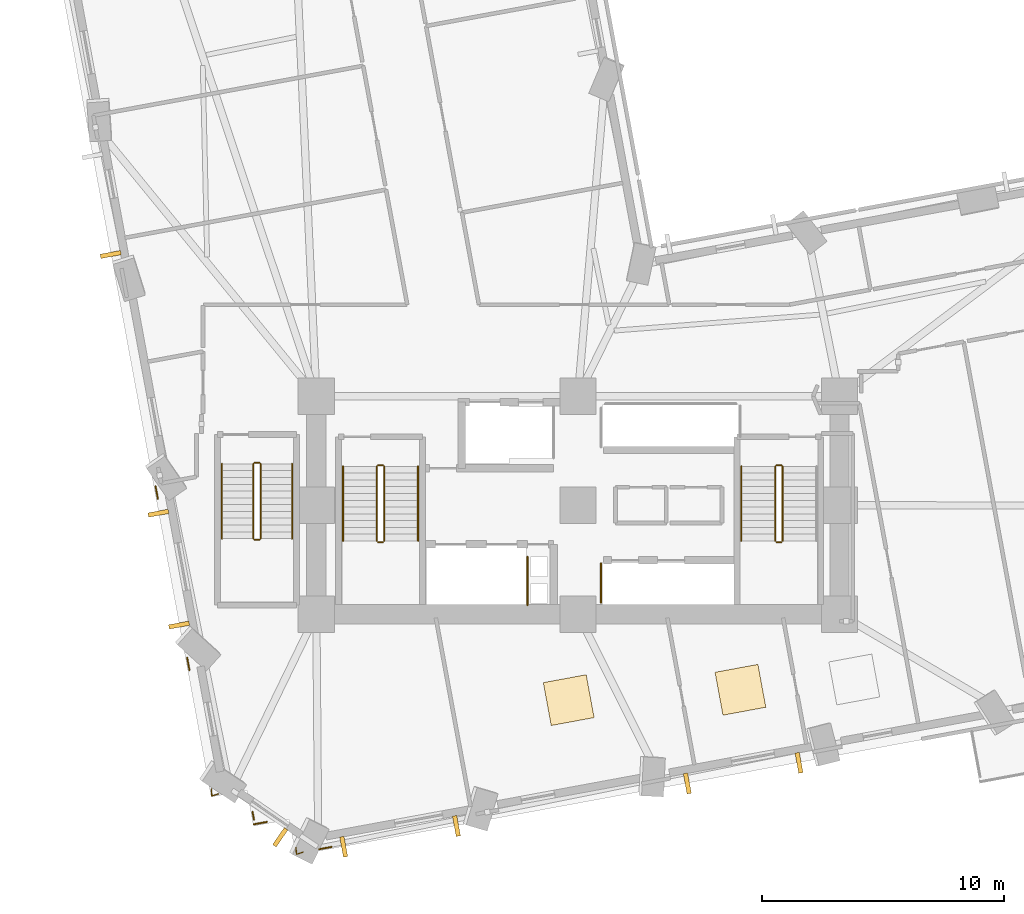
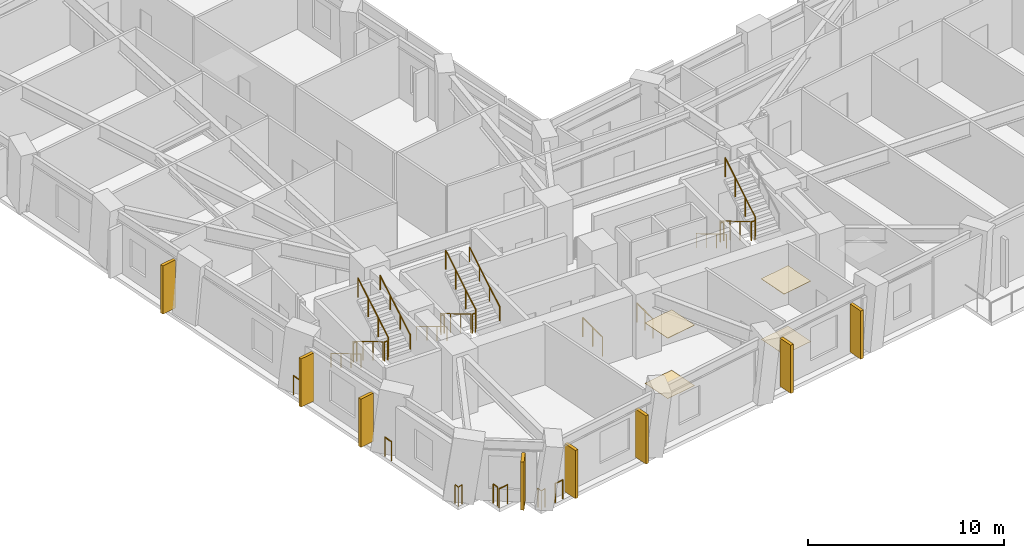
# One storey, part 12 of 16: 26 railings, 8 shading devices, 4 coverings.
"""IFC4 building model written with IfcOpenShell, lengths in metres."""

from ifc_helpers import new_model, si_unit, direction, frame, origin, origin_2d, place, context, subcontext, project, spatial, rectangle, circle, extrude, material, layer, layer_set, type_object, element, save


model = new_model("IFC4")

# Units and contexts
model_context = context("Model", 3, precision=1e-05, world=origin(), true_north=direction((0.0, 1.0)))
body_context = subcontext(model_context, "Body", "Model", "MODEL_VIEW")
ifc_project = project(units=[si_unit("LENGTHUNIT", "METRE"), si_unit("AREAUNIT", "SQUARE_METRE"), si_unit("VOLUMEUNIT", "CUBIC_METRE"), si_unit("PLANEANGLEUNIT", "RADIAN"), si_unit("MASSUNIT", "GRAM", prefix="KILO")], contexts=[model_context])

# Site, building, storey
site_placement = place(None, origin())
site = spatial("IfcSite", under=ifc_project, at=site_placement, CompositionType="ELEMENT")
building_placement = place(site_placement, origin())
building = spatial("IfcBuilding", under=site, at=building_placement, Name="Gaonmaruhae Medical Tower", CompositionType="ELEMENT")
storey_placement = place(building_placement, frame((0.0, 0.0, 67.0)))
storey = spatial("IfcBuildingStorey", under=building, at=storey_placement, Name="L15", CompositionType="ELEMENT", Elevation=67.0)

# Coverings
ifc_material_1 = material(Name="Acoustic mineral ceiling tile", Category="finish")
ifc_layer_1 = layer(ifc_material_1, 0.02490234375)
ifc_layer_set_1 = layer_set([ifc_layer_1], Name="Acoustic mineral ceiling tile")
covering_type_1 = type_object("IfcCoveringType", Name="CLG-01 Antimicrobial Acoustic Mineral Ceiling", PredefinedType="CEILING", material=ifc_layer_set_1)
for number, where, z_axis, x_axis, name in (
    (1, (24.420166015625, 4.249755859375, 3.755126953125), (0.0, 0.0, 1.0), (0.983413563645, 0.181377404435, 0.0), "L15 Clinical Room Acoustic Ceiling 2"),
    (2, (31.510498046875, 4.676025390625, 3.755126953125), (0.0, 0.0, 1.0), (0.983413563645, 0.181377404435, 0.0), "L15 Clinical Room Acoustic Ceiling 3"),
):
    element("IfcCovering", number, at=place(storey_placement, frame(where, z_axis=z_axis, x_axis=x_axis)), inside=storey, type_object=covering_type_1, Name=name, PredefinedType="CEILING", context=body_context, shape_type="SweptSolid", body=[
        extrude(rectangle(XDim=1.800048828125, YDim=1.800048828125, at=origin_2d()), origin(), (0.0, 0.0, 1.0), 0.02490234375),
    ])
ifc_material_2 = material(Name="Seamless clinical vinyl flooring", Category="finish")
ifc_layer_2 = layer(ifc_material_2, 0.014892578125)
ifc_layer_set_2 = layer_set([ifc_layer_2], Name="Seamless clinical vinyl flooring")
covering_type_2 = type_object("IfcCoveringType", Name="FLR-01 Seamless Clinical Antistatic Vinyl Flooring", PredefinedType="FLOORING", material=ifc_layer_set_2)
for number, where, z_axis, x_axis, name in (
    (3, (24.420166015625, 4.249755859375, 0.0), (0.0, 0.0, 1.0), (0.983413563645, 0.181377404435, 0.0), "L15 Clinical Room Vinyl Flooring 2"),
    (4, (31.510498046875, 4.676025390625, 0.0), (0.0, 0.0, 1.0), (0.983413563645, 0.181377404435, 0.0), "L15 Clinical Room Vinyl Flooring 3"),
):
    element("IfcCovering", number, at=place(storey_placement, frame(where, z_axis=z_axis, x_axis=x_axis)), inside=storey, type_object=covering_type_2, Name=name, PredefinedType="FLOORING", context=body_context, shape_type="SweptSolid", body=[
        extrude(rectangle(XDim=1.800048828125, YDim=1.800048828125, at=origin_2d()), origin(), (0.0, 0.0, 1.0), 0.014892578125),
    ])

# Railings
ifc_material_3 = material(Name="Stainless steel 316L and laminated safety glass", Category="steel")
ifc_layer_3 = layer(ifc_material_3, 0.080078125)
ifc_layer_set_3 = layer_set([ifc_layer_3], Name="Stainless steel 316L and laminated safety glass")
railing_type_1 = type_object("IfcRailingType", Name="GD-120 Outdoor Terrace Safety Glass & Steel Balustrade", PredefinedType="BALUSTRADE", material=ifc_layer_set_3)
railing_1_placement = place(storey_placement, frame((11.960693359375, -0.779052734375, 0.0)))
element("IfcRailing", 5, at=railing_1_placement, inside=storey, type_object=railing_type_1, Name="L15 Perimeter Slab Edge Safety Balustrade 01", PredefinedType="BALUSTRADE", context=body_context, shape_type="SweptSolid", body=[
    extrude(circle(Radius=0.02392578125, at=origin_2d()), frame((0.0, 0.0, 1.17578125), z_axis=(-0.983420471769, -0.181339945149, 0.0), x_axis=(0.181339945149, -0.983420471769, 0.0)), (0.0, 0.0, 1.0), 0.56005859375),
    extrude(circle(Radius=0.02099609375, at=origin_2d()), origin(), (0.0, 0.0, 1.0), 1.15185546875),
    extrude(circle(Radius=0.02099609375, at=origin_2d()), frame((-0.55078125, -0.1015625, 0.0)), (0.0, 0.0, 1.0), 1.15185546875),
])
railing_2_placement = place(storey_placement, frame((11.42578125, -0.69140625, 0.0)))
element("IfcRailing", 6, at=railing_2_placement, inside=storey, type_object=railing_type_1, Name="L15 Perimeter Slab Edge Safety Balustrade 02", PredefinedType="BALUSTRADE", context=body_context, shape_type="SweptSolid", body=[
    extrude(circle(Radius=0.02392578125, at=origin_2d()), frame((0.0, 0.0, 1.17578125), z_axis=(-0.181580830922, 0.983376022609, 0.0), x_axis=(-0.983376022609, -0.181580830922, 0.0)), (0.0, 0.0, 1.0), 0.32666015625),
    extrude(circle(Radius=0.02099609375, at=origin_2d()), origin(), (0.0, 0.0, 1.0), 1.15185546875),
    extrude(circle(Radius=0.02099609375, at=origin_2d()), frame((-0.059326171875, 0.3212890625, 0.0)), (0.0, 0.0, 1.0), 1.15185546875),
])
for number, where, name in (
    (7, (8.760498046875, 5.4892578125, 0.0), "L15 Perimeter Slab Edge Safety Balustrade 03"),
    (8, (7.455810546875, 12.563232421875, 0.0), "L15 Perimeter Slab Edge Safety Balustrade 04"),
):
    element("IfcRailing", number, at=place(storey_placement, frame(where)), inside=storey, type_object=railing_type_1, Name=name, PredefinedType="BALUSTRADE", context=body_context, shape_type="SweptSolid", body=[
        extrude(circle(Radius=0.02392578125, at=origin_2d()), frame((0.0, 0.0, 1.17578125), z_axis=(-0.181365727127, 0.983415717296, 0.0), x_axis=(-0.983415717296, -0.181365727127, 0.0)), (0.0, 0.0, 1.0), 0.51953125),
        extrude(circle(Radius=0.02099609375, at=origin_2d()), origin(), (0.0, 0.0, 1.0), 1.15185546875),
        extrude(circle(Radius=0.02099609375, at=origin_2d()), frame((-0.09423828125, 0.510986328125, 0.0)), (0.0, 0.0, 1.0), 1.15185546875),
    ])
railing_3_placement = place(storey_placement, frame((14.62548828125, -1.81298828125, 0.0)))
element("IfcRailing", 9, at=railing_3_placement, inside=storey, type_object=railing_type_1, Name="L15 Perimeter Slab Edge Safety Balustrade 12", PredefinedType="BALUSTRADE", context=body_context, shape_type="SweptSolid", body=[
    extrude(circle(Radius=0.02392578125, at=origin_2d()), frame((0.0, 0.0, 1.17578125), z_axis=(-0.98340676165, -0.181414280419, 0.0), x_axis=(0.181414280419, -0.98340676165, 0.0)), (0.0, 0.0, 1.0), 0.51806640625),
    extrude(circle(Radius=0.02099609375, at=origin_2d()), origin(), (0.0, 0.0, 1.0), 1.15185546875),
    extrude(circle(Radius=0.02099609375, at=origin_2d()), frame((-0.509521484375, -0.093994140625, 0.0)), (0.0, 0.0, 1.0), 1.15185546875),
])
for number, where, name in (
    (10, (9.957763671875, 0.376708984375, 0.0), "L15 Perimeter Corner Safety Balustrade 13"),
    (11, (13.4521484375, -2.029296875, 0.0), "L15 Perimeter Corner Safety Balustrade 15"),
):
    element("IfcRailing", number, at=place(storey_placement, frame(where)), inside=storey, type_object=railing_type_1, Name=name, PredefinedType="BALUSTRADE", context=body_context, shape_type="SweptSolid", body=[
        extrude(circle(Radius=0.02392578125, at=origin_2d()), frame((0.0, 0.0, 1.17578125), z_axis=(-0.953903349751, -0.300113977239, 0.0), x_axis=(0.300113977239, -0.953903349751, 0.0)), (0.0, 0.0, 1.0), 0.287109375),
        extrude(circle(Radius=0.02392578125, at=origin_2d()), frame((-0.27392578125, -0.086181640625, 1.17578125), z_axis=(-0.060366707818, 0.998176267293, 0.0), x_axis=(-0.998176267293, -0.060366707818, 0.0)), (0.0, 0.0, 1.0), 0.287109375),
        extrude(circle(Radius=0.02099609375, at=origin_2d()), origin(), (0.0, 0.0, 1.0), 1.15185546875),
        extrude(circle(Radius=0.02099609375, at=origin_2d()), frame((-0.27392578125, -0.086181640625, 0.0)), (0.0, 0.0, 1.0), 1.15185546875),
        extrude(circle(Radius=0.02099609375, at=origin_2d()), frame((-0.291259765625, 0.200439453125, 0.0)), (0.0, 0.0, 1.0), 1.15185546875),
    ])
ifc_material_4 = material(Name="Stainless steel 304 handrail", Category="steel")
railing_type_2 = type_object("IfcRailingType", Name="HR-092 Continuous Stainless Steel Stair Handrail", PredefinedType="HANDRAIL", material=ifc_material_4)
railing_4_placement = place(storey_placement, frame((15.10009765625, 13.89990234375, 0.166748046875)))
element("IfcRailing", 12, at=railing_4_placement, inside=storey, type_object=railing_type_2, Name="L15 ST-01 stair handrail 1", PredefinedType="HANDRAIL", context=body_context, shape_type="SweptSolid", body=[
    extrude(circle(Radius=0.02392578125, at=origin_2d()), frame((0.0, 0.0, 0.8759765625), z_axis=(0.0, -0.859290745958, 0.51148745235), x_axis=(1.0, 0.0, 0.0)), (0.0, 0.0, 1.0), 3.584228515625),
    extrude(circle(Radius=0.02099609375, at=origin_2d()), origin(), (0.0, 0.0, 1.0), 0.851806640625),
    extrude(circle(Radius=0.02099609375, at=origin_2d()), frame((0.0, -1.026611328125, 0.611083984375)), (0.0, 0.0, 1.0), 0.851806640625),
    extrude(circle(Radius=0.02099609375, at=origin_2d()), frame((0.0, -2.05322265625, 1.22216796875)), (0.0, 0.0, 1.0), 0.851806640625),
    extrude(circle(Radius=0.02099609375, at=origin_2d()), frame((0.0, -3.079833984375, 1.833251953125)), (0.0, 0.0, 1.0), 0.851806640625),
])
railing_5_placement = place(storey_placement, frame((18.199951171875, 10.820068359375, 2.166748046875)))
element("IfcRailing", 13, at=railing_5_placement, inside=storey, type_object=railing_type_2, Name="L15 ST-01 stair handrail 2", PredefinedType="HANDRAIL", context=body_context, shape_type="SweptSolid", body=[
    extrude(circle(Radius=0.02392578125, at=origin_2d()), frame((0.0, 0.0, 0.8759765625), z_axis=(0.0, 0.859290745958, 0.51148745235), x_axis=(-1.0, 0.0, 0.0)), (0.0, 0.0, 1.0), 3.584228515625),
    extrude(circle(Radius=0.02099609375, at=origin_2d()), origin(), (0.0, 0.0, 1.0), 0.851806640625),
    extrude(circle(Radius=0.02099609375, at=origin_2d()), frame((0.0, 1.026611328125, 0.611083984375)), (0.0, 0.0, 1.0), 0.851806640625),
    extrude(circle(Radius=0.02099609375, at=origin_2d()), frame((0.0, 2.05322265625, 1.22216796875)), (0.0, 0.0, 1.0), 0.851806640625),
    extrude(circle(Radius=0.02099609375, at=origin_2d()), frame((0.0, 3.079833984375, 1.833251953125)), (0.0, 0.0, 1.0), 0.851806640625),
])
railing_6_placement = place(storey_placement, frame((31.550048828125, 13.89990234375, 0.166748046875)))
element("IfcRailing", 14, at=railing_6_placement, inside=storey, type_object=railing_type_2, Name="L15 ST-02 stair handrail 1", PredefinedType="HANDRAIL", context=body_context, shape_type="SweptSolid", body=[
    extrude(circle(Radius=0.02392578125, at=origin_2d()), frame((0.0, 0.0, 0.8759765625), z_axis=(0.0, -0.859290745958, 0.51148745235), x_axis=(1.0, 0.0, 0.0)), (0.0, 0.0, 1.0), 3.584228515625),
    extrude(circle(Radius=0.02099609375, at=origin_2d()), origin(), (0.0, 0.0, 1.0), 0.851806640625),
    extrude(circle(Radius=0.02099609375, at=origin_2d()), frame((0.0, -1.026611328125, 0.611083984375)), (0.0, 0.0, 1.0), 0.851806640625),
    extrude(circle(Radius=0.02099609375, at=origin_2d()), frame((0.0, -2.05322265625, 1.22216796875)), (0.0, 0.0, 1.0), 0.851806640625),
    extrude(circle(Radius=0.02099609375, at=origin_2d()), frame((0.0, -3.079833984375, 1.833251953125)), (0.0, 0.0, 1.0), 0.851806640625),
])
railing_7_placement = place(storey_placement, frame((10.10009765625, 14.0, 0.166748046875)))
element("IfcRailing", 15, at=railing_7_placement, inside=storey, type_object=railing_type_2, Name="L15 ST-03 stair handrail 1", PredefinedType="HANDRAIL", context=body_context, shape_type="SweptSolid", body=[
    extrude(circle(Radius=0.02392578125, at=origin_2d()), frame((0.0, 0.0, 0.8759765625), z_axis=(0.0, -0.859308565015, 0.511457515432), x_axis=(1.0, 0.0, 0.0)), (0.0, 0.0, 1.0), 3.58447265625),
    extrude(circle(Radius=0.02099609375, at=origin_2d()), origin(), (0.0, 0.0, 1.0), 0.851806640625),
    extrude(circle(Radius=0.02099609375, at=origin_2d()), frame((0.0, -1.026611328125, 0.611083984375)), (0.0, 0.0, 1.0), 0.851806640625),
    extrude(circle(Radius=0.02099609375, at=origin_2d()), frame((0.0, -2.053466796875, 1.22216796875)), (0.0, 0.0, 1.0), 0.851806640625),
    extrude(circle(Radius=0.02099609375, at=origin_2d()), frame((0.0, -3.080078125, 1.833251953125)), (0.0, 0.0, 1.0), 0.851806640625),
])
railing_8_placement = place(storey_placement, frame((13.0, 10.919921875, 2.166748046875)))
element("IfcRailing", 16, at=railing_8_placement, inside=storey, type_object=railing_type_2, Name="L15 ST-03 stair handrail 2", PredefinedType="HANDRAIL", context=body_context, shape_type="SweptSolid", body=[
    extrude(circle(Radius=0.02392578125, at=origin_2d()), frame((0.0, 0.0, 0.8759765625), z_axis=(0.0, 0.859308565015, 0.511457515432), x_axis=(-1.0, 0.0, 0.0)), (0.0, 0.0, 1.0), 3.58447265625),
    extrude(circle(Radius=0.02099609375, at=origin_2d()), origin(), (0.0, 0.0, 1.0), 0.851806640625),
    extrude(circle(Radius=0.02099609375, at=origin_2d()), frame((0.0, 1.026611328125, 0.611083984375)), (0.0, 0.0, 1.0), 0.851806640625),
    extrude(circle(Radius=0.02099609375, at=origin_2d()), frame((0.0, 2.053466796875, 1.22216796875)), (0.0, 0.0, 1.0), 0.851806640625),
    extrude(circle(Radius=0.02099609375, at=origin_2d()), frame((0.0, 3.080078125, 1.833251953125)), (0.0, 0.0, 1.0), 0.851806640625),
])

# Shading devices
ifc_material_5 = material(Name="Pigmented coral precast concrete C45/55", Category="concrete")
shading_device_type = type_object("IfcShadingDeviceType", Name="SD-FIN1 Tower Vertical Coral Precast Shading Fin", PredefinedType="USERDEFINED", material=ifc_material_5)
for number, where, z_axis, x_axis, name in (
    (17, (19.785400390625, -0.94775390625, 0.08251953125), (0.0, 0.0, 1.0), (-0.983413563645, -0.181377404435, 0.0), "L15 Vertical Coral Precast Shading Fin S01"),
    (18, (15.12939453125, -1.806396484375, 0.08251953125), (0.0, 0.0, 1.0), (-0.983413563645, -0.181377404435, 0.0), "L15 Vertical Coral Precast Shading Fin S01B"),
    (19, (33.9296875, 1.660888671875, 0.08251953125), (0.0, 0.0, 1.0), (-0.983413563645, -0.181377404435, 0.0), "L15 Vertical Coral Precast Shading Fin S03"),
    (20, (29.317626953125, 0.810302734375, 0.08251953125), (0.0, 0.0, 1.0), (-0.983413563645, -0.181377404435, 0.0), "L15 Vertical Coral Precast Shading Fin S03B"),
    (21, (5.50927734375, 22.6494140625, 0.08251953125), (0.0, 0.0, 1.0), (-0.181377404435, 0.983413563645, 0.0), "L15 Vertical Coral Precast Shading Fin W03"),
    (22, (8.331298828125, 7.34765625, 0.08251953125), (0.0, 0.0, 1.0), (-0.181394568212, 0.983410397862, 0.0), "L15 Vertical Coral Precast Shading Fin W05"),
    (23, (7.4794921875, 11.966796875, 0.08251953125), (0.0, 0.0, 1.0), (-0.181394568212, 0.983410397862, 0.0), "L15 Vertical Coral Precast Shading Fin W05B"),
    (24, (12.50927734375, -1.413818359375, 0.08251953125), (0.0, 0.0, 1.0), (-0.823641490271, 0.567110831765, 0.0), "L15 Vertical Coral Precast Shading Fin W07"),
):
    element("IfcShadingDevice", number, at=place(storey_placement, frame(where, z_axis=z_axis, x_axis=x_axis)), inside=storey, type_object=shading_device_type, Name=name, ObjectType="FIN", PredefinedType="USERDEFINED", context=body_context, shape_type="SweptSolid", body=[
        extrude(rectangle(XDim=0.179931640625, YDim=0.85009765625, at=origin_2d()), origin(), (0.0, 0.0, 1.0), 3.0),
    ])

# Railings
ifc_material_6 = material(Name="Stainless steel 304 balustrade", Category="steel")
railing_type_3 = type_object("IfcRailingType", Name="SG-112 Stair Well & Ramp Void Safety Balustrade", PredefinedType="BALUSTRADE", material=ifc_material_6)
railing_9_placement = place(storey_placement, frame((16.5, 13.89990234375, 0.166748046875)))
element("IfcRailing", 25, at=railing_9_placement, inside=storey, type_object=railing_type_3, Name="L15 ST-01 stair guard 1", PredefinedType="BALUSTRADE", context=body_context, shape_type="SweptSolid", body=[
    extrude(circle(Radius=0.02392578125, at=origin_2d()), frame((0.0, 0.0, 1.17578125), z_axis=(0.0, -0.859290745958, 0.51148745235), x_axis=(1.0, 0.0, 0.0)), (0.0, 0.0, 1.0), 3.584228515625),
    extrude(circle(Radius=0.02099609375, at=origin_2d()), origin(), (0.0, 0.0, 1.0), 1.15185546875),
    extrude(circle(Radius=0.02099609375, at=origin_2d()), frame((0.0, -1.026611328125, 0.611083984375)), (0.0, 0.0, 1.0), 1.15185546875),
    extrude(circle(Radius=0.02099609375, at=origin_2d()), frame((0.0, -2.05322265625, 1.22216796875)), (0.0, 0.0, 1.0), 1.15185546875),
    extrude(circle(Radius=0.02099609375, at=origin_2d()), frame((0.0, -3.079833984375, 1.833251953125)), (0.0, 0.0, 1.0), 1.15185546875),
])
railing_10_placement = place(storey_placement, frame((16.550048828125, 10.77001953125, 2.0)))
element("IfcRailing", 26, at=railing_10_placement, inside=storey, type_object=railing_type_3, Name="L15 ST-01 stair guard 2", PredefinedType="BALUSTRADE", context=body_context, shape_type="SweptSolid", body=[
    extrude(circle(Radius=0.02392578125, at=origin_2d()), frame((0.0, 0.0, 1.17578125), z_axis=(1.0, 0.0, 0.0), x_axis=(0.0, 1.0, 0.0)), (0.0, 0.0, 1.0), 0.199951171875),
    extrude(circle(Radius=0.02099609375, at=origin_2d()), origin(), (0.0, 0.0, 1.0), 1.15185546875),
    extrude(circle(Radius=0.02099609375, at=origin_2d()), frame((0.199951171875, 0.0, 0.0)), (0.0, 0.0, 1.0), 1.15185546875),
])
railing_11_placement = place(storey_placement, frame((16.800048828125, 10.820068359375, 2.166748046875)))
element("IfcRailing", 27, at=railing_11_placement, inside=storey, type_object=railing_type_3, Name="L15 ST-01 stair guard 3", PredefinedType="BALUSTRADE", context=body_context, shape_type="SweptSolid", body=[
    extrude(circle(Radius=0.02392578125, at=origin_2d()), frame((0.0, 0.0, 1.17578125), z_axis=(0.0, 0.859290745958, 0.51148745235), x_axis=(-1.0, 0.0, 0.0)), (0.0, 0.0, 1.0), 3.584228515625),
    extrude(circle(Radius=0.02099609375, at=origin_2d()), origin(), (0.0, 0.0, 1.0), 1.15185546875),
    extrude(circle(Radius=0.02099609375, at=origin_2d()), frame((0.0, 1.026611328125, 0.611083984375)), (0.0, 0.0, 1.0), 1.15185546875),
    extrude(circle(Radius=0.02099609375, at=origin_2d()), frame((0.0, 2.05322265625, 1.22216796875)), (0.0, 0.0, 1.0), 1.15185546875),
    extrude(circle(Radius=0.02099609375, at=origin_2d()), frame((0.0, 3.079833984375, 1.833251953125)), (0.0, 0.0, 1.0), 1.15185546875),
])
railing_12_placement = place(storey_placement, frame((16.550048828125, 13.949951171875, 0.0)))
element("IfcRailing", 28, at=railing_12_placement, inside=storey, type_object=railing_type_3, Name="L15 ST-01 stair guard 4", PredefinedType="BALUSTRADE", context=body_context, shape_type="SweptSolid", body=[
    extrude(circle(Radius=0.02392578125, at=origin_2d()), frame((0.0, 0.0, 1.17578125), z_axis=(1.0, 0.0, 0.0), x_axis=(0.0, 1.0, 0.0)), (0.0, 0.0, 1.0), 0.199951171875),
    extrude(circle(Radius=0.02099609375, at=origin_2d()), origin(), (0.0, 0.0, 1.0), 1.15185546875),
    extrude(circle(Radius=0.02099609375, at=origin_2d()), frame((0.199951171875, 0.0, 0.0)), (0.0, 0.0, 1.0), 1.15185546875),
])
railing_13_placement = place(storey_placement, frame((32.949951171875, 13.89990234375, 0.166748046875)))
element("IfcRailing", 29, at=railing_13_placement, inside=storey, type_object=railing_type_3, Name="L15 ST-02 stair guard 1", PredefinedType="BALUSTRADE", context=body_context, shape_type="SweptSolid", body=[
    extrude(circle(Radius=0.02392578125, at=origin_2d()), frame((0.0, 0.0, 1.17578125), z_axis=(0.0, -0.859290745958, 0.51148745235), x_axis=(1.0, 0.0, 0.0)), (0.0, 0.0, 1.0), 3.584228515625),
    extrude(circle(Radius=0.02099609375, at=origin_2d()), origin(), (0.0, 0.0, 1.0), 1.15185546875),
    extrude(circle(Radius=0.02099609375, at=origin_2d()), frame((0.0, -1.026611328125, 0.611083984375)), (0.0, 0.0, 1.0), 1.15185546875),
    extrude(circle(Radius=0.02099609375, at=origin_2d()), frame((0.0, -2.05322265625, 1.22216796875)), (0.0, 0.0, 1.0), 1.15185546875),
    extrude(circle(Radius=0.02099609375, at=origin_2d()), frame((0.0, -3.079833984375, 1.833251953125)), (0.0, 0.0, 1.0), 1.15185546875),
])
railing_14_placement = place(storey_placement, frame((33.0, 10.77001953125, 2.0)))
element("IfcRailing", 30, at=railing_14_placement, inside=storey, type_object=railing_type_3, Name="L15 ST-02 stair guard 2", PredefinedType="BALUSTRADE", context=body_context, shape_type="SweptSolid", body=[
    extrude(circle(Radius=0.02392578125, at=origin_2d()), frame((0.0, 0.0, 1.17578125), z_axis=(1.0, 0.0, 0.0), x_axis=(0.0, 1.0, 0.0)), (0.0, 0.0, 1.0), 0.199951171875),
    extrude(circle(Radius=0.02099609375, at=origin_2d()), origin(), (0.0, 0.0, 1.0), 1.15185546875),
    extrude(circle(Radius=0.02099609375, at=origin_2d()), frame((0.199951171875, 0.0, 0.0)), (0.0, 0.0, 1.0), 1.15185546875),
])
railing_15_placement = place(storey_placement, frame((33.25, 10.820068359375, 2.166748046875)))
element("IfcRailing", 31, at=railing_15_placement, inside=storey, type_object=railing_type_3, Name="L15 ST-02 stair guard 3", PredefinedType="BALUSTRADE", context=body_context, shape_type="SweptSolid", body=[
    extrude(circle(Radius=0.02392578125, at=origin_2d()), frame((0.0, 0.0, 1.17578125), z_axis=(0.0, 0.859290745958, 0.51148745235), x_axis=(-1.0, 0.0, 0.0)), (0.0, 0.0, 1.0), 3.584228515625),
    extrude(circle(Radius=0.02099609375, at=origin_2d()), origin(), (0.0, 0.0, 1.0), 1.15185546875),
    extrude(circle(Radius=0.02099609375, at=origin_2d()), frame((0.0, 1.026611328125, 0.611083984375)), (0.0, 0.0, 1.0), 1.15185546875),
    extrude(circle(Radius=0.02099609375, at=origin_2d()), frame((0.0, 2.05322265625, 1.22216796875)), (0.0, 0.0, 1.0), 1.15185546875),
    extrude(circle(Radius=0.02099609375, at=origin_2d()), frame((0.0, 3.079833984375, 1.833251953125)), (0.0, 0.0, 1.0), 1.15185546875),
])
railing_16_placement = place(storey_placement, frame((33.0, 13.949951171875, 0.0)))
element("IfcRailing", 32, at=railing_16_placement, inside=storey, type_object=railing_type_3, Name="L15 ST-02 stair guard 4", PredefinedType="BALUSTRADE", context=body_context, shape_type="SweptSolid", body=[
    extrude(circle(Radius=0.02392578125, at=origin_2d()), frame((0.0, 0.0, 1.17578125), z_axis=(1.0, 0.0, 0.0), x_axis=(0.0, 1.0, 0.0)), (0.0, 0.0, 1.0), 0.199951171875),
    extrude(circle(Radius=0.02099609375, at=origin_2d()), origin(), (0.0, 0.0, 1.0), 1.15185546875),
    extrude(circle(Radius=0.02099609375, at=origin_2d()), frame((0.199951171875, 0.0, 0.0)), (0.0, 0.0, 1.0), 1.15185546875),
])
railing_17_placement = place(storey_placement, frame((11.39990234375, 14.0, 0.166748046875)))
element("IfcRailing", 33, at=railing_17_placement, inside=storey, type_object=railing_type_3, Name="L15 ST-03 stair guard 1", PredefinedType="BALUSTRADE", context=body_context, shape_type="SweptSolid", body=[
    extrude(circle(Radius=0.02392578125, at=origin_2d()), frame((0.0, 0.0, 1.17578125), z_axis=(0.0, -0.859308565015, 0.511457515432), x_axis=(1.0, 0.0, 0.0)), (0.0, 0.0, 1.0), 3.58447265625),
    extrude(circle(Radius=0.02099609375, at=origin_2d()), origin(), (0.0, 0.0, 1.0), 1.15185546875),
    extrude(circle(Radius=0.02099609375, at=origin_2d()), frame((0.0, -1.026611328125, 0.611083984375)), (0.0, 0.0, 1.0), 1.15185546875),
    extrude(circle(Radius=0.02099609375, at=origin_2d()), frame((0.0, -2.053466796875, 1.22216796875)), (0.0, 0.0, 1.0), 1.15185546875),
    extrude(circle(Radius=0.02099609375, at=origin_2d()), frame((0.0, -3.080078125, 1.833251953125)), (0.0, 0.0, 1.0), 1.15185546875),
])
railing_18_placement = place(storey_placement, frame((11.449951171875, 10.8701171875, 2.0)))
element("IfcRailing", 34, at=railing_18_placement, inside=storey, type_object=railing_type_3, Name="L15 ST-03 stair guard 2", PredefinedType="BALUSTRADE", context=body_context, shape_type="SweptSolid", body=[
    extrude(circle(Radius=0.02392578125, at=origin_2d()), frame((0.0, 0.0, 1.17578125), z_axis=(1.0, 0.0, 0.0), x_axis=(0.0, 1.0, 0.0)), (0.0, 0.0, 1.0), 0.199951171875),
    extrude(circle(Radius=0.02099609375, at=origin_2d()), origin(), (0.0, 0.0, 1.0), 1.15185546875),
    extrude(circle(Radius=0.02099609375, at=origin_2d()), frame((0.199951171875, 0.0, 0.0)), (0.0, 0.0, 1.0), 1.15185546875),
])
railing_19_placement = place(storey_placement, frame((11.699951171875, 10.919921875, 2.166748046875)))
element("IfcRailing", 35, at=railing_19_placement, inside=storey, type_object=railing_type_3, Name="L15 ST-03 stair guard 3", PredefinedType="BALUSTRADE", context=body_context, shape_type="SweptSolid", body=[
    extrude(circle(Radius=0.02392578125, at=origin_2d()), frame((0.0, 0.0, 1.17578125), z_axis=(0.0, 0.859308565015, 0.511457515432), x_axis=(-1.0, 0.0, 0.0)), (0.0, 0.0, 1.0), 3.58447265625),
    extrude(circle(Radius=0.02099609375, at=origin_2d()), origin(), (0.0, 0.0, 1.0), 1.15185546875),
    extrude(circle(Radius=0.02099609375, at=origin_2d()), frame((0.0, 1.026611328125, 0.611083984375)), (0.0, 0.0, 1.0), 1.15185546875),
    extrude(circle(Radius=0.02099609375, at=origin_2d()), frame((0.0, 2.053466796875, 1.22216796875)), (0.0, 0.0, 1.0), 1.15185546875),
    extrude(circle(Radius=0.02099609375, at=origin_2d()), frame((0.0, 3.080078125, 1.833251953125)), (0.0, 0.0, 1.0), 1.15185546875),
])
railing_20_placement = place(storey_placement, frame((11.449951171875, 14.050048828125, 0.0)))
element("IfcRailing", 36, at=railing_20_placement, inside=storey, type_object=railing_type_3, Name="L15 ST-03 stair guard 4", PredefinedType="BALUSTRADE", context=body_context, shape_type="SweptSolid", body=[
    extrude(circle(Radius=0.02392578125, at=origin_2d()), frame((0.0, 0.0, 1.17578125), z_axis=(1.0, 0.0, 0.0), x_axis=(0.0, 1.0, 0.0)), (0.0, 0.0, 1.0), 0.199951171875),
    extrude(circle(Radius=0.02099609375, at=origin_2d()), origin(), (0.0, 0.0, 1.0), 1.15185546875),
    extrude(circle(Radius=0.02099609375, at=origin_2d()), frame((0.199951171875, 0.0, 0.0)), (0.0, 0.0, 1.0), 1.15185546875),
])
railing_21_placement = place(storey_placement, frame((25.7548828125, 8.27001953125, 0.0)))
element("IfcRailing", 37, at=railing_21_placement, inside=storey, type_object=railing_type_3, Name="L15 Shaft Edge Safety Guard 16", PredefinedType="BALUSTRADE", context=body_context, shape_type="SweptSolid", body=[
    extrude(circle(Radius=0.02392578125, at=origin_2d()), frame((0.0, 0.0, 1.17578125), z_axis=(0.0, 1.0, 0.0), x_axis=(-1.0, 0.0, 0.0)), (0.0, 0.0, 1.0), 1.635009765625),
    extrude(circle(Radius=0.02099609375, at=origin_2d()), origin(), (0.0, 0.0, 1.0), 1.15185546875),
    extrude(circle(Radius=0.02099609375, at=origin_2d()), frame((0.0, 0.8173828125, 0.0)), (0.0, 0.0, 1.0), 1.15185546875),
    extrude(circle(Radius=0.02099609375, at=origin_2d()), frame((0.0, 1.635009765625, 0.0)), (0.0, 0.0, 1.0), 1.15185546875),
])
railing_22_placement = place(storey_placement, frame((22.719970703125, 10.159912109375, 0.0)))
element("IfcRailing", 38, at=railing_22_placement, inside=storey, type_object=railing_type_3, Name="L15 Shaft Edge Safety Guard 17", PredefinedType="BALUSTRADE", context=body_context, shape_type="SweptSolid", body=[
    extrude(circle(Radius=0.02392578125, at=origin_2d()), frame((0.0, 0.0, 1.17578125), z_axis=(0.0, -1.0, 0.0), x_axis=(1.0, 0.0, 0.0)), (0.0, 0.0, 1.0), 1.994873046875),
    extrude(circle(Radius=0.02099609375, at=origin_2d()), origin(), (0.0, 0.0, 1.0), 1.15185546875),
    extrude(circle(Radius=0.02099609375, at=origin_2d()), frame((0.0, -0.99755859375, 0.0)), (0.0, 0.0, 1.0), 1.15185546875),
    extrude(circle(Radius=0.02099609375, at=origin_2d()), frame((0.0, -1.994873046875, 0.0)), (0.0, 0.0, 1.0), 1.15185546875),
])

save(model, "model.ifc")
